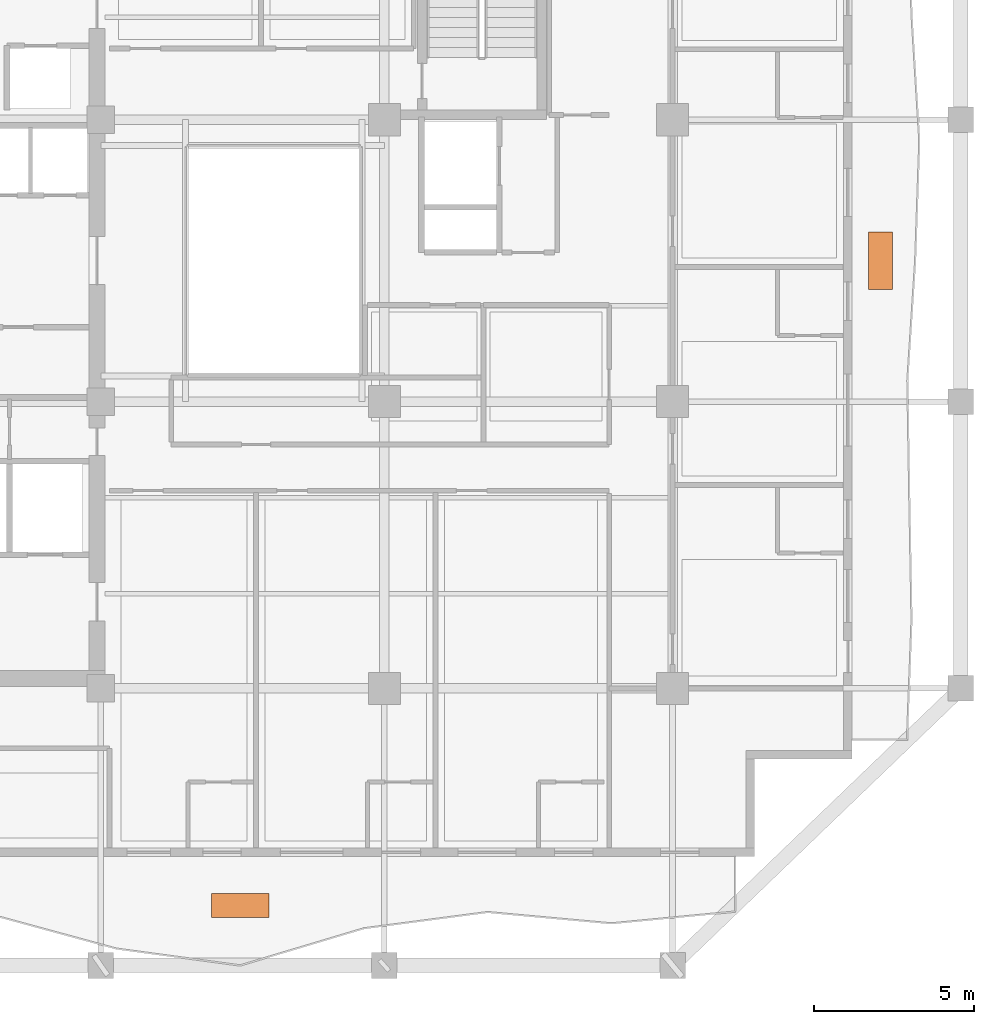
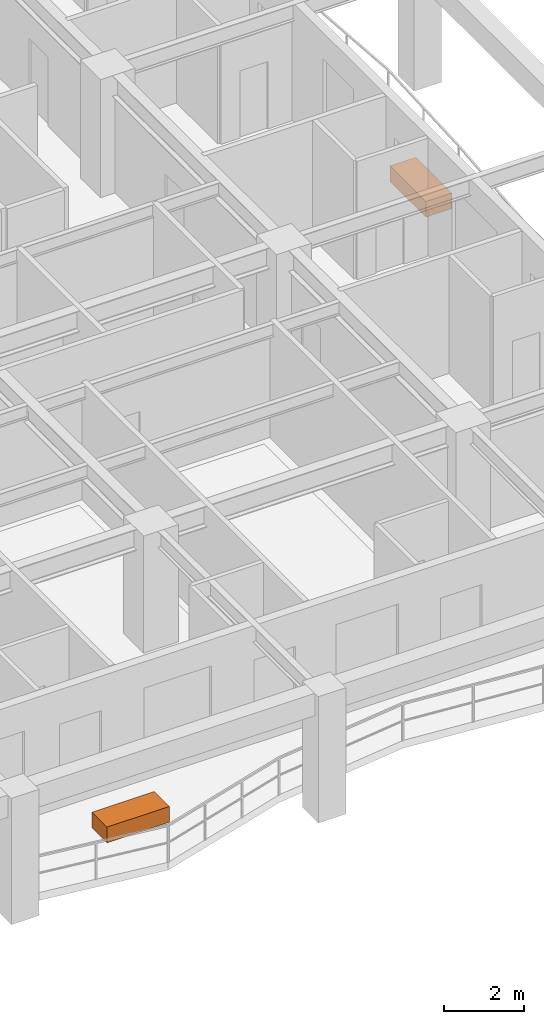
# One storey, part 11 of 11: 2 proxies.
"""IFC4 building model written with IfcOpenShell, lengths in metres."""

from ifc_helpers import new_model, si_unit, direction, frame, origin, origin_2d, place, context, subcontext, project, spatial, rectangle, extrude, material, type_object, element, save


model = new_model("IFC4")

# Units and contexts
model_context = context("Model", 3, precision=1e-05, world=origin(), true_north=direction((0.0, 1.0)))
body_context = subcontext(model_context, "Body", "Model", "MODEL_VIEW")
ifc_project = project(units=[si_unit("LENGTHUNIT", "METRE"), si_unit("AREAUNIT", "SQUARE_METRE"), si_unit("VOLUMEUNIT", "CUBIC_METRE"), si_unit("PLANEANGLEUNIT", "RADIAN"), si_unit("MASSUNIT", "GRAM", prefix="KILO")], contexts=[model_context])

# Site, building, storey
site_placement = place(None, origin())
site = spatial("IfcSite", under=ifc_project, at=site_placement, CompositionType="ELEMENT")
building_placement = place(site_placement, origin())
building = spatial("IfcBuilding", under=site, at=building_placement, Name="Kundavana Baori Tower", CompositionType="ELEMENT")
storey_placement = place(building_placement, frame((0.0, 0.0, 130.949951171875)))
storey = spatial("IfcBuildingStorey", under=building, at=storey_placement, Name="L31", CompositionType="ELEMENT", Elevation=130.949951171875)

# Proxies
ifc_material = material(Name="Red-Buff Dholpur Sandstone Cladding on Concrete C40/50", Category="masonry")
building_element_proxy_type = type_object("IfcBuildingElementProxyType", Name="PRX-PLANTER-1800", PredefinedType="USERDEFINED", material=ifc_material)
for number, where, z_axis, x_axis, name in (
    (1, (29.300048828125, 8.469970703125, 0.0), (0.0, 0.0, 1.0), (1.0, 0.0, 0.0), "L31 Dholpur Stone Structural Tree Planter S"),
    (2, (49.2900390625, 28.60009765625, 0.0), (0.0, 0.0, 1.0), (0.0, 1.0, 0.0), "L31 Dholpur Stone Structural Tree Planter E"),
):
    element("IfcBuildingElementProxy", number, at=place(storey_placement, frame(where, z_axis=z_axis, x_axis=x_axis)), inside=storey, type_object=building_element_proxy_type, Name=name, ObjectType="PLANTER", PredefinedType="USERDEFINED", context=body_context, shape_type="SweptSolid", body=[
        extrude(rectangle(XDim=1.800048828125, YDim=0.75, at=origin_2d()), origin(), (0.0, 0.0, 1.0), 0.47998046875),
    ])

save(model, "model.ifc")
